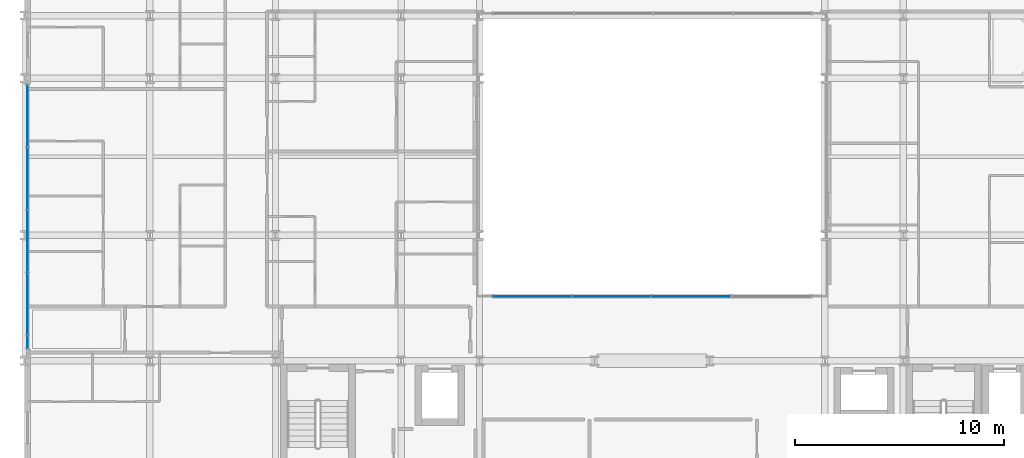
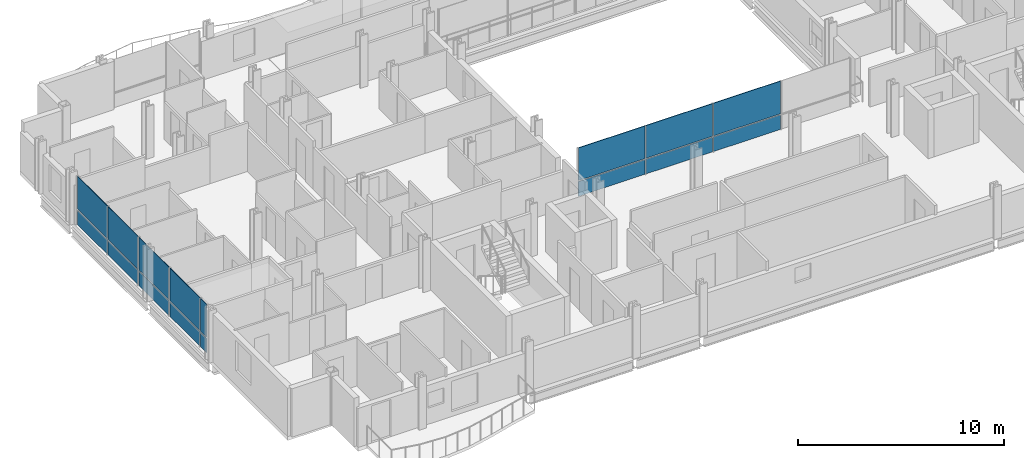
# One storey, part 26 of 41: 16 plates, 2 elements without a shape of their own.
"""IFC4 building model written with IfcOpenShell, lengths in metres."""

from ifc_helpers import new_model, si_unit, direction, frame, origin, origin_2d, place, context, subcontext, project, spatial, rectangle, extrude, material, layer, layer_set, type_object, element, aggregate, save


model = new_model("IFC4")

# Units and contexts
model_context = context("Model", 3, precision=1e-05, world=origin(), true_north=direction((0.0, 1.0)))
body_context = subcontext(model_context, "Body", "Model", "MODEL_VIEW")
ifc_project = project(units=[si_unit("LENGTHUNIT", "METRE"), si_unit("AREAUNIT", "SQUARE_METRE"), si_unit("VOLUMEUNIT", "CUBIC_METRE"), si_unit("PLANEANGLEUNIT", "RADIAN"), si_unit("MASSUNIT", "GRAM", prefix="KILO")], contexts=[model_context])

# Site, building, storey
site_placement = place(None, origin())
site = spatial("IfcSite", under=ifc_project, at=site_placement, CompositionType="ELEMENT")
building_placement = place(site_placement, origin())
building = spatial("IfcBuilding", under=site, at=building_placement, Name="Brevholm Reach", CompositionType="ELEMENT")
storey_placement = place(building_placement, frame((0.0, 0.0, 43.5)))
storey = spatial("IfcBuildingStorey", under=building, at=storey_placement, Name="L11", CompositionType="ELEMENT", Elevation=43.5)

# Curtain wall, plates
ifc_material_1 = material(Name="Dark Anodised Aluminium 6063-T6 and Solar-Control Glass", Category="aluminium")
ifc_layer_1 = layer(ifc_material_1, 0.14990234375)
ifc_layer_set_1 = layer_set([ifc_layer_1], Name="Dark Anodised Aluminium 6063-T6 and Solar-Control Glass")
curtain_wall_type_1 = type_object("IfcCurtainWallType", Name="CW-01", PredefinedType="NOTDEFINED", material=ifc_layer_set_1)
curtain_wall_1_placement = place(storey_placement, origin())
curtain_wall_1 = element("IfcCurtainWall", 1, at=curtain_wall_1_placement, inside=storey, type_object=curtain_wall_type_1, Name="L11 Curtain Wall CW-01", PredefinedType="NOTDEFINED")
ifc_material_2 = material(Name="Dark Solar-Control Double-Glazed IGU Glass", Category="glass")
ifc_layer_2 = layer(ifc_material_2, 0.028076171875)
ifc_layer_set_2 = layer_set([ifc_layer_2], Name="Dark Solar-Control Double-Glazed IGU Glass")
plate_type_1 = type_object("IfcPlateType", Name="CWP-GLZ-28", PredefinedType="CURTAIN_PANEL", material=ifc_layer_set_2)
plate_1_placement = place(storey_placement, frame((0.14990234375, 21.703857421875, 0.0), z_axis=(0.0, 0.0, 1.0), x_axis=(0.0, -1.0, 0.0)))
plate_1 = element("IfcPlate", 2, at=plate_1_placement, type_object=plate_type_1, Name="CP-01 Glazing Panel 1.1", PredefinedType="CURTAIN_PANEL", context=body_context, shape_type="SweptSolid", body=[
    extrude(rectangle(XDim=2.902587890625, YDim=0.028076171875, at=origin_2d()), origin(), (0.0, 0.0, 1.0), 0.867431640625),
])
plate_2_placement = place(storey_placement, frame((0.14990234375, 21.703857421875, 0.9326171875), z_axis=(0.0, 0.0, 1.0), x_axis=(0.0, -1.0, 0.0)))
plate_2 = element("IfcPlate", 3, at=plate_2_placement, type_object=plate_type_1, Name="CP-01 Glazing Panel 1.2", PredefinedType="CURTAIN_PANEL", context=body_context, shape_type="SweptSolid", body=[
    extrude(rectangle(XDim=2.902587890625, YDim=0.028076171875, at=origin_2d()), origin(), (0.0, 0.0, 1.0), 1.9375),
])
plate_3_placement = place(storey_placement, frame((0.14990234375, 18.719970703125, 0.0), z_axis=(0.0, 0.0, 1.0), x_axis=(0.0, -1.0, 0.0)))
plate_3 = element("IfcPlate", 4, at=plate_3_placement, type_object=plate_type_1, Name="CP-01 Glazing Panel 2.1", PredefinedType="CURTAIN_PANEL", context=body_context, shape_type="SweptSolid", body=[
    extrude(rectangle(XDim=2.93505859375, YDim=0.028076171875, at=origin_2d()), origin(), (0.0, 0.0, 1.0), 0.867431640625),
])
plate_4_placement = place(storey_placement, frame((0.14990234375, 18.719970703125, 0.9326171875), z_axis=(0.0, 0.0, 1.0), x_axis=(0.0, -1.0, 0.0)))
plate_4 = element("IfcPlate", 5, at=plate_4_placement, type_object=plate_type_1, Name="CP-01 Glazing Panel 2.2", PredefinedType="CURTAIN_PANEL", context=body_context, shape_type="SweptSolid", body=[
    extrude(rectangle(XDim=2.93505859375, YDim=0.028076171875, at=origin_2d()), origin(), (0.0, 0.0, 1.0), 1.9375),
])
plate_5_placement = place(storey_placement, frame((0.14990234375, 15.719970703125, 0.0), z_axis=(0.0, 0.0, 1.0), x_axis=(0.0, -1.0, 0.0)))
plate_5 = element("IfcPlate", 6, at=plate_5_placement, type_object=plate_type_1, Name="CP-01 Glazing Panel 3.1", PredefinedType="CURTAIN_PANEL", context=body_context, shape_type="SweptSolid", body=[
    extrude(rectangle(XDim=2.93505859375, YDim=0.028076171875, at=origin_2d()), origin(), (0.0, 0.0, 1.0), 0.867431640625),
])
plate_6_placement = place(storey_placement, frame((0.14990234375, 15.719970703125, 0.9326171875), z_axis=(0.0, 0.0, 1.0), x_axis=(0.0, -1.0, 0.0)))
plate_6 = element("IfcPlate", 7, at=plate_6_placement, type_object=plate_type_1, Name="CP-01 Glazing Panel 3.2", PredefinedType="CURTAIN_PANEL", context=body_context, shape_type="SweptSolid", body=[
    extrude(rectangle(XDim=2.93505859375, YDim=0.028076171875, at=origin_2d()), origin(), (0.0, 0.0, 1.0), 1.9375),
])
plate_7_placement = place(storey_placement, frame((0.14990234375, 12.719970703125, 0.0), z_axis=(0.0, 0.0, 1.0), x_axis=(0.0, -1.0, 0.0)))
plate_7 = element("IfcPlate", 8, at=plate_7_placement, type_object=plate_type_1, Name="CP-01 Glazing Panel 4.1", PredefinedType="CURTAIN_PANEL", context=body_context, shape_type="SweptSolid", body=[
    extrude(rectangle(XDim=2.93505859375, YDim=0.028076171875, at=origin_2d()), origin(), (0.0, 0.0, 1.0), 0.867431640625),
])
plate_8_placement = place(storey_placement, frame((0.14990234375, 12.719970703125, 0.9326171875), z_axis=(0.0, 0.0, 1.0), x_axis=(0.0, -1.0, 0.0)))
plate_8 = element("IfcPlate", 9, at=plate_8_placement, type_object=plate_type_1, Name="CP-01 Glazing Panel 4.2", PredefinedType="CURTAIN_PANEL", context=body_context, shape_type="SweptSolid", body=[
    extrude(rectangle(XDim=2.93505859375, YDim=0.028076171875, at=origin_2d()), origin(), (0.0, 0.0, 1.0), 1.9375),
])
plate_9_placement = place(storey_placement, frame((0.14990234375, 10.9013671875, 0.0), z_axis=(0.0, 0.0, 1.0), x_axis=(0.0, -1.0, 0.0)))
plate_9 = element("IfcPlate", 10, at=plate_9_placement, type_object=plate_type_1, Name="CP-01 Glazing Panel 5.1", PredefinedType="CURTAIN_PANEL", context=body_context, shape_type="SweptSolid", body=[
    extrude(rectangle(XDim=0.572509765625, YDim=0.028076171875, at=origin_2d()), origin(), (0.0, 0.0, 1.0), 0.867431640625),
])
plate_10_placement = place(storey_placement, frame((0.14990234375, 10.9013671875, 0.9326171875), z_axis=(0.0, 0.0, 1.0), x_axis=(0.0, -1.0, 0.0)))
plate_10 = element("IfcPlate", 11, at=plate_10_placement, type_object=plate_type_1, Name="CP-01 Glazing Panel 5.2", PredefinedType="CURTAIN_PANEL", context=body_context, shape_type="SweptSolid", body=[
    extrude(rectangle(XDim=0.572509765625, YDim=0.028076171875, at=origin_2d()), origin(), (0.0, 0.0, 1.0), 1.9375),
])
aggregate(curtain_wall_1, [plate_1, plate_2, plate_3, plate_4, plate_5, plate_6, plate_7, plate_8, plate_9, plate_10])

ifc_material_3 = material(Name="Dark Anodised Aluminium 6063-T6 and Solar-Control Glass", Category="aluminium")
ifc_layer_3 = layer(ifc_material_3, 0.139892578125)
ifc_layer_set_3 = layer_set([ifc_layer_3], Name="Dark Anodised Aluminium 6063-T6 and Solar-Control Glass")
curtain_wall_type_2 = type_object("IfcCurtainWallType", Name="CW-02", PredefinedType="NOTDEFINED", material=ifc_layer_set_3)
curtain_wall_2_placement = place(storey_placement, origin())
curtain_wall_2 = element("IfcCurtainWall", 12, at=curtain_wall_2_placement, inside=storey, type_object=curtain_wall_type_2, Name="L11 Curtain Wall CW-02", PredefinedType="NOTDEFINED")
ifc_material_4 = material(Name="Low-Iron Laminated Acoustic Glass", Category="glass")
ifc_layer_4 = layer(ifc_material_4, 0.035888671875)
ifc_layer_set_4 = layer_set([ifc_layer_4], Name="Low-Iron Laminated Acoustic Glass")
plate_type_2 = type_object("IfcPlateType", Name="CWP-GLZ-36", PredefinedType="CURTAIN_PANEL", material=ifc_layer_set_4)
plate_11_placement = place(storey_placement, frame((24.264892578125, 13.080078125, 0.0), z_axis=(0.0, 0.0, 1.0), x_axis=(1.0, 0.0, 0.0)))
plate_11 = element("IfcPlate", 13, at=plate_11_placement, type_object=plate_type_2, Name="CP-02 Glazing Panel 1.1", PredefinedType="CURTAIN_PANEL", context=body_context, shape_type="SweptSolid", body=[
    extrude(rectangle(XDim=3.7099609375, YDim=0.035888671875, at=origin_2d()), origin(), (0.0, 0.0, 1.0), 0.8701171875),
])
plate_12_placement = place(storey_placement, frame((24.264892578125, 13.080078125, 0.929931640625), z_axis=(0.0, 0.0, 1.0), x_axis=(1.0, 0.0, 0.0)))
plate_12 = element("IfcPlate", 14, at=plate_12_placement, type_object=plate_type_2, Name="CP-02 Glazing Panel 1.2", PredefinedType="CURTAIN_PANEL", context=body_context, shape_type="SweptSolid", body=[
    extrude(rectangle(XDim=3.7099609375, YDim=0.035888671875, at=origin_2d()), origin(), (0.0, 0.0, 1.0), 1.93994140625),
])
plate_13_placement = place(storey_placement, frame((28.050048828125, 13.080078125, 0.0), z_axis=(0.0, 0.0, 1.0), x_axis=(1.0, 0.0, 0.0)))
plate_13 = element("IfcPlate", 15, at=plate_13_placement, type_object=plate_type_2, Name="CP-02 Glazing Panel 2.1", PredefinedType="CURTAIN_PANEL", context=body_context, shape_type="SweptSolid", body=[
    extrude(rectangle(XDim=3.739990234375, YDim=0.035888671875, at=origin_2d()), origin(), (0.0, 0.0, 1.0), 0.8701171875),
])
plate_14_placement = place(storey_placement, frame((28.050048828125, 13.080078125, 0.929931640625), z_axis=(0.0, 0.0, 1.0), x_axis=(1.0, 0.0, 0.0)))
plate_14 = element("IfcPlate", 16, at=plate_14_placement, type_object=plate_type_2, Name="CP-02 Glazing Panel 2.2", PredefinedType="CURTAIN_PANEL", context=body_context, shape_type="SweptSolid", body=[
    extrude(rectangle(XDim=3.739990234375, YDim=0.035888671875, at=origin_2d()), origin(), (0.0, 0.0, 1.0), 1.93994140625),
])
plate_15_placement = place(storey_placement, frame((31.85009765625, 13.080078125, 0.0), z_axis=(0.0, 0.0, 1.0), x_axis=(1.0, 0.0, 0.0)))
plate_15 = element("IfcPlate", 17, at=plate_15_placement, type_object=plate_type_2, Name="CP-02 Glazing Panel 3.1", PredefinedType="CURTAIN_PANEL", context=body_context, shape_type="SweptSolid", body=[
    extrude(rectangle(XDim=3.739990234375, YDim=0.035888671875, at=origin_2d()), origin(), (0.0, 0.0, 1.0), 0.8701171875),
])
plate_16_placement = place(storey_placement, frame((31.85009765625, 13.080078125, 0.929931640625), z_axis=(0.0, 0.0, 1.0), x_axis=(1.0, 0.0, 0.0)))
plate_16 = element("IfcPlate", 18, at=plate_16_placement, type_object=plate_type_2, Name="CP-02 Glazing Panel 3.2", PredefinedType="CURTAIN_PANEL", context=body_context, shape_type="SweptSolid", body=[
    extrude(rectangle(XDim=3.739990234375, YDim=0.035888671875, at=origin_2d()), origin(), (0.0, 0.0, 1.0), 1.93994140625),
])
aggregate(curtain_wall_2, [plate_11, plate_12, plate_13, plate_14, plate_15, plate_16])

save(model, "model.ifc")
